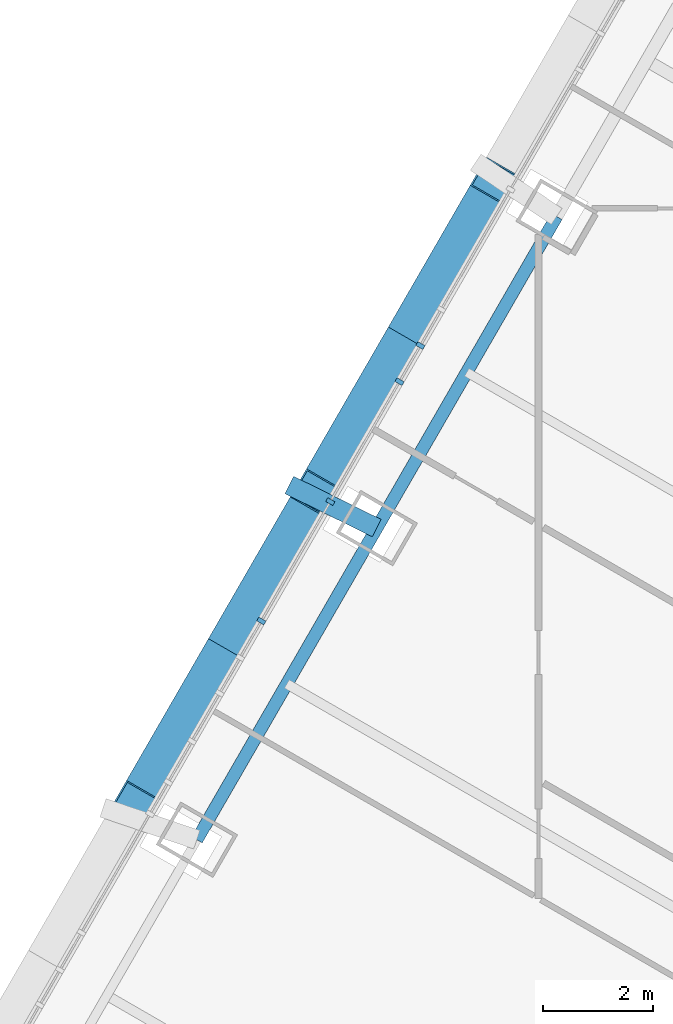
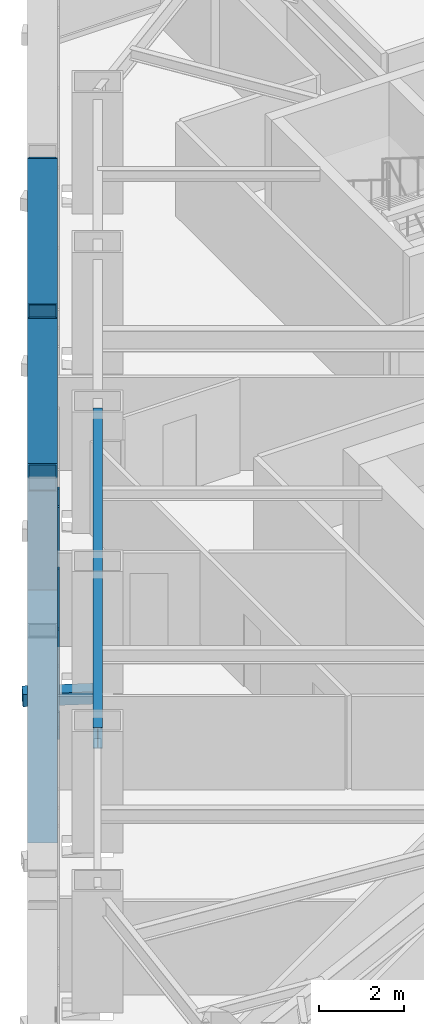
# One storey, part 5 of 25: 9 members, 1 beam, 1 element without a shape of its own.
"""IFC4 building model written with IfcOpenShell, lengths in metres."""

import ifcopenshell
import ifcopenshell.guid

model = None  # the IFC model being written
_history = None  # IfcOwnerHistory: only IFC2X3 demands one
_inside = {}  # id of a spatial element -> (the spatial element, [elements in it])
_under = {}  # id of a project, library or spatial element -> (it, [spatial elements below it])
_declared = {}  # id of a project -> (the project, [libraries it declares])
_typed = {}  # id of a type object -> (the type object, [elements of that type])
_made_of = {}  # id of a material, layer set ... -> (it, [elements and type objects made of it])


def new_model(schema):
    """Start an empty IFC model of exactly this schema.

    Asked for "IFC4X3", IfcOpenShell would pick the latest addendum, in which some entities
    have other attributes; the version numbers below select the first issue.
    IFC2X3 requires an IfcOwnerHistory on every rooted entity: one is made here for all.
    """
    global model, _history
    if schema == "IFC4X3":
        model = ifcopenshell.file(schema_version=(4, 3, 0, 0))
    else:
        model = ifcopenshell.file(schema=schema)
    _inside.clear()
    _under.clear()
    _declared.clear()
    _typed.clear()
    _made_of.clear()
    _history = None
    if model.schema == "IFC2X3":
        org = make("IfcOrganization", Name="unknown")
        user = make(
            "IfcPersonAndOrganization",
            ThePerson=make("IfcPerson", FamilyName="unknown"),
            TheOrganization=org,
        )
        app = make(
            "IfcApplication",
            ApplicationDeveloper=org,
            Version="unknown",
            ApplicationFullName="unknown",
            ApplicationIdentifier="unknown",
        )
        _history = make(
            "IfcOwnerHistory",
            OwningUser=user,
            OwningApplication=app,
            ChangeAction="ADDED",
            CreationDate=0,
        )
    return model


def make(cls, **values):
    """One entity of the class cls with the attributes given. An attribute that is None is left unset."""
    return model.create_entity(
        cls, **{name: value for name, value in values.items() if value is not None}
    )


def rooted(cls, **values):
    """An entity with a GlobalId (a new one), such as an element, a storey or a relation."""
    return make(cls, GlobalId=ifcopenshell.guid.new(), OwnerHistory=_history, **values)


def si_unit(unit_type, name, prefix=None):
    """IfcSIUnit, for example si_unit("LENGTHUNIT", "METRE", prefix="MILLI")."""
    return make("IfcSIUnit", UnitType=unit_type, Prefix=prefix, Name=name)


def assignment(units):
    """IfcUnitAssignment: the units of a project."""
    return None if units is None else make("IfcUnitAssignment", Units=units)


def point(xyz):
    """IfcCartesianPoint."""
    return None if xyz is None else make("IfcCartesianPoint", Coordinates=xyz)


def direction(xyz):
    """IfcDirection."""
    return None if xyz is None else make("IfcDirection", DirectionRatios=xyz)


def frame(location, z_axis=None, x_axis=None):
    """IfcAxis2Placement3D, a coordinate frame: its origin and axes. An axis left out is left unset."""
    return make(
        "IfcAxis2Placement3D",
        Location=point(location),
        Axis=direction(z_axis),
        RefDirection=direction(x_axis),
    )


def frame_2d(location, x_axis=None):
    """IfcAxis2Placement2D, a coordinate frame in the plane: its origin and x axis."""
    return make(
        "IfcAxis2Placement2D", Location=point(location), RefDirection=direction(x_axis)
    )


def origin():
    """The frame at (0, 0, 0) with its axes left unset."""
    return frame((0.0, 0.0, 0.0))


def origin_2d():
    """The frame at (0, 0) in the plane with its x axis left unset."""
    return frame_2d((0.0, 0.0))


def place(relative_to, where):
    """IfcLocalPlacement: puts the frame where relative to a parent placement (None: the world)."""
    return make(
        "IfcLocalPlacement", PlacementRelTo=relative_to, RelativePlacement=where
    )


def context(
    kind, dimensions, precision=None, world=None, true_north=None, identifier=None
):
    """IfcGeometricRepresentationContext, for example the 3D "Model" context."""
    return make(
        "IfcGeometricRepresentationContext",
        ContextIdentifier=identifier,
        ContextType=kind,
        CoordinateSpaceDimension=dimensions,
        Precision=precision,
        WorldCoordinateSystem=world,
        TrueNorth=true_north,
    )


def subcontext(parent, identifier, kind, view, scale=None):
    """IfcGeometricRepresentationSubContext, for example "Body" below "Model"."""
    return make(
        "IfcGeometricRepresentationSubContext",
        ContextIdentifier=identifier,
        ContextType=kind,
        ParentContext=parent,
        TargetScale=scale,
        TargetView=view,
    )


def project(units=None, contexts=None):
    """IfcProject with its units and contexts."""
    return rooted(
        "IfcProject",
        Name="project",
        RepresentationContexts=contexts,
        UnitsInContext=assignment(units),
    )


def spatial(cls, under=None, at=None, **own):
    """A site, building, storey or space (cls), placed at a placement, below another one or the project."""
    s = rooted(cls, ObjectPlacement=at, **own)
    if under is not None:
        _under.setdefault(under.id(), (under, []))[1].append(s)
    return s


def profile(cls, at=None, kind="AREA", **sizes):
    """A parametric profile (cls). Its sizes go by their IFC names, for example OverallWidth=200.0."""
    return make(cls, ProfileType=kind, Position=at, **sizes)


def rectangle(**sizes):
    """IfcRectangleProfileDef."""
    return profile("IfcRectangleProfileDef", **sizes)


def hollow_rectangle(**sizes):
    """IfcRectangleHollowProfileDef."""
    return profile("IfcRectangleHollowProfileDef", **sizes)


def i_section(**sizes):
    """IfcIShapeProfileDef."""
    return profile("IfcIShapeProfileDef", **sizes)


def extrude(swept, where, along, depth):
    """IfcExtrudedAreaSolid: the profile swept, set in the frame where, extruded along a direction by depth."""
    return make(
        "IfcExtrudedAreaSolid",
        SweptArea=swept,
        Position=where,
        ExtrudedDirection=direction(along),
        Depth=depth,
    )


def shape(context_of_items, identifier, shape_type, items):
    """IfcShapeRepresentation: the items that make up one representation, for example the "Body"."""
    return make(
        "IfcShapeRepresentation",
        ContextOfItems=context_of_items,
        RepresentationIdentifier=identifier,
        RepresentationType=shape_type,
        Items=items,
    )


def material(Name=None, Category=None):
    """IfcMaterial."""
    return make("IfcMaterial", Name=Name, Category=Category)


def layer(
    of_material, thickness, ventilated=None, Name=None, Category=None, Priority=None
):
    """IfcMaterialLayer: one layer of a wall or slab, of a material (None: an air gap)."""
    return make(
        "IfcMaterialLayer",
        Material=of_material,
        LayerThickness=thickness,
        IsVentilated=ventilated,
        Name=Name,
        Category=Category,
        Priority=Priority,
    )


def layer_set(layers, Name=None):
    """IfcMaterialLayerSet."""
    return make("IfcMaterialLayerSet", MaterialLayers=layers, LayerSetName=Name)


def material_profile(
    of_material, cross_section, Name=None, Category=None, Priority=None
):
    """IfcMaterialProfile: a cross section and its material."""
    return make(
        "IfcMaterialProfile",
        Name=Name,
        Material=of_material,
        Profile=cross_section,
        Priority=Priority,
        Category=Category,
    )


def profile_set(profiles, Name=None, composite=None):
    """IfcMaterialProfileSet."""
    return make(
        "IfcMaterialProfileSet",
        Name=Name,
        MaterialProfiles=profiles,
        CompositeProfile=composite,
    )


def made_of(thing, what):
    """Note that an element or type object is made of a material, layer set ...; save() writes the relation."""
    if what is not None:
        _made_of.setdefault(what.id(), (what, []))[1].append(thing)
    return thing


def type_object(cls, material=None, **own):
    """A type object (cls), such as IfcWallType, which elements share."""
    return made_of(rooted(cls, **own), material)


def element(
    cls,
    number,
    at=None,
    inside=None,
    cuts=None,
    type_object=None,
    material=None,
    context=None,
    identifier="Body",
    shape_type=None,
    held_by="IfcProductDefinitionShape",
    body=None,
    shapes=None,
    **own,
):
    """One element of the class cls, such as IfcWall. Its Tag is "e" and its number.

    at: its placement. inside: the storey or other place that contains it. cuts: it is an
    opening in that element (IfcRelVoidsElement). A single representation is given by context,
    identifier, shape_type and body (its items); several are given by shapes. held_by: the class
    of the entity that holds the representations. save() writes the other relations.
    """
    e = rooted(cls, Tag="e%d" % number, ObjectPlacement=at, **own)
    if body is not None:
        shapes = [shape(context, identifier, shape_type, body)]
    if shapes is not None:
        e.Representation = make(held_by, Representations=shapes)
    if inside is not None:
        _inside.setdefault(inside.id(), (inside, []))[1].append(e)
    if cuts is not None:
        rooted(
            "IfcRelVoidsElement", RelatingBuildingElement=cuts, RelatedOpeningElement=e
        )
    if type_object is not None:
        _typed.setdefault(type_object.id(), (type_object, []))[1].append(e)
    return made_of(e, material)


def aggregate(whole, parts):
    """IfcRelAggregates: a whole, such as a stair, and the parts it consists of."""
    return rooted("IfcRelAggregates", RelatingObject=whole, RelatedObjects=parts)


def save(model, path):
    """Write the relations noted so far, then the file.

    IfcRelAggregates (storeys below a building ...), IfcRelContainedInSpatialStructure (elements
    in a storey), IfcRelDefinesByType, IfcRelAssociatesMaterial and IfcRelDeclares: one each for
    every whole, place, type object, material and project.
    """
    for whole, parts in _under.values():
        aggregate(whole, parts)
    for where, things in _inside.values():
        rooted(
            "IfcRelContainedInSpatialStructure",
            RelatedElements=things,
            RelatingStructure=where,
        )
    for kind, things in _typed.values():
        rooted("IfcRelDefinesByType", RelatedObjects=things, RelatingType=kind)
    for what, things in _made_of.values():
        rooted("IfcRelAssociatesMaterial", RelatedObjects=things, RelatingMaterial=what)
    for by, libraries in _declared.values():
        rooted("IfcRelDeclares", RelatingContext=by, RelatedDefinitions=libraries)
    model.write(path)


model = new_model("IFC4")

# Units and contexts
model_context = context("Model", 3, precision=1e-05, world=origin(), true_north=direction((0.0, 1.0)))
body_context = subcontext(model_context, "Body", "Model", "MODEL_VIEW")
ifc_project = project(units=[si_unit("LENGTHUNIT", "METRE"), si_unit("AREAUNIT", "SQUARE_METRE"), si_unit("VOLUMEUNIT", "CUBIC_METRE"), si_unit("PLANEANGLEUNIT", "RADIAN"), si_unit("MASSUNIT", "GRAM", prefix="KILO")], contexts=[model_context])

# Site, building, storey
site_placement = place(None, origin())
site = spatial("IfcSite", under=ifc_project, at=site_placement, CompositionType="ELEMENT")
building_placement = place(site_placement, origin())
building = spatial("IfcBuilding", under=site, at=building_placement, Name="Firuza Gate Tower and Library", CompositionType="ELEMENT")
storey_placement = place(building_placement, frame((0.0, 0.0, 270.60009765625)))
storey = spatial("IfcBuildingStorey", under=building, at=storey_placement, Name="L64", CompositionType="ELEMENT", Elevation=270.60009765625)

# Members
ifc_material_1 = material(Name="Steel S355", Category="steel")
ifc_material_profile_1 = material_profile(ifc_material_1, hollow_rectangle(XDim=0.699951171875, YDim=0.699951171875, WallThickness=0.030029296875, at=origin_2d()))
ifc_profile_set_1 = profile_set([ifc_material_profile_1], Name="Steel S355")
member_type_1 = type_object("IfcMemberType", Name="BU700x700x30 Lattice brace", PredefinedType="BRACE", material=ifc_profile_set_1)
for number, where, z_axis, x_axis, name in (
    (1, (61.20556640625, 86.754638671875, 0.0), (-0.265084898364, -0.459137453369, 0.847893151036), (0.86602396135, -0.500002498361, 0.0), "Lattice brace W 16.4R"),
    (2, (57.9228515625, 81.06884765625, 0.0), (0.265084898364, 0.459137453369, 0.847893151036), (-0.86602396135, 0.500002498361, 0.0), "Lattice brace W 16.4L"),
    (3, (57.9228515625, 81.06884765625, 0.0), (-0.265087297838, -0.459121894397, 0.847900825928), (0.866014664317, -0.500018600842, 0.0), "Lattice brace W 16.5R"),
    (4, (54.64013671875, 75.38330078125, 0.0), (0.265087297838, 0.459121894397, 0.847900825928), (-0.866014664317, 0.500018600842, 0.0), "Lattice brace W 16.5L"),
):
    element("IfcMember", number, at=place(storey_placement, frame(where, z_axis=z_axis, x_axis=x_axis)), inside=storey, type_object=member_type_1, Name=name, PredefinedType="BRACE", context=body_context, shape_type="SweptSolid", body=[
        extrude(hollow_rectangle(XDim=0.699951171875, YDim=0.699951171875, WallThickness=0.030029296875, at=origin_2d()), origin(), (0.0, 0.0, 1.0), 12.383544921875),
    ])

# Curtain wall, members
ifc_material_2 = material(Name="Aluminium 6063-T6", Category="aluminium")
ifc_layer = layer(ifc_material_2, 0.14990234375)
ifc_layer_set = layer_set([ifc_layer], Name="Unitised curtain wall, residences")
curtain_wall_type = type_object("IfcCurtainWallType", Name="Unitised curtain wall, residences", PredefinedType="NOTDEFINED", material=ifc_layer_set)
curtain_wall_placement = place(storey_placement, origin())
curtain_wall = element("IfcCurtainWall", 5, at=curtain_wall_placement, inside=storey, type_object=curtain_wall_type, Name="CW3 L64 W face", PredefinedType="NOTDEFINED")
ifc_material_3 = material(Name="Aluminium 6063-T6", Category="aluminium")
ifc_material_profile_2 = material_profile(ifc_material_3, rectangle(XDim=0.14990234375, YDim=0.080078125, at=origin_2d()))
ifc_profile_set_2 = profile_set([ifc_material_profile_2], Name="Aluminium 6063-T6")
member_type_2 = type_object("IfcMemberType", Name="Curtain wall mullion 80x150", PredefinedType="MULLION", material=ifc_profile_set_2)
member_1_placement = place(storey_placement, frame((59.845703125, 83.749267578125, 0.14990234375), z_axis=(0.0, 0.0, 1.0), x_axis=(0.866025403784, -0.5, 0.0)))
member_1 = element("IfcMember", 6, at=member_1_placement, type_object=member_type_2, Name="Mullion", PredefinedType="MULLION", context=body_context, shape_type="SweptSolid", body=[
    extrude(rectangle(XDim=0.14990234375, YDim=0.080078125, at=origin_2d()), origin(), (0.0, 0.0, 1.0), 3.14990234375),
])
member_2_placement = place(storey_placement, frame((58.201171875, 80.901123046875, 0.14990234375), z_axis=(0.0, 0.0, 1.0), x_axis=(0.866025403784, -0.5, 0.0)))
member_2 = element("IfcMember", 7, at=member_2_placement, type_object=member_type_2, Name="Mullion", PredefinedType="MULLION", context=body_context, shape_type="SweptSolid", body=[
    extrude(rectangle(XDim=0.14990234375, YDim=0.080078125, at=origin_2d()), origin(), (0.0, 0.0, 1.0), 3.14990234375),
])
member_3_placement = place(storey_placement, frame((59.465087890625, 83.08984375, 0.14990234375), z_axis=(0.0, 0.0, 1.0), x_axis=(0.866025403784, -0.5, 0.0)))
member_3 = element("IfcMember", 8, at=member_3_placement, type_object=member_type_2, Name="Mullion", PredefinedType="MULLION", context=body_context, shape_type="SweptSolid", body=[
    extrude(rectangle(XDim=0.14990234375, YDim=0.080078125, at=origin_2d()), origin(), (0.0, 0.0, 1.0), 3.14990234375),
])
member_4_placement = place(storey_placement, frame((56.94384765625, 78.72314453125, 0.14990234375), z_axis=(0.0, 0.0, 1.0), x_axis=(0.866025403784, -0.5, 0.0)))
member_4 = element("IfcMember", 9, at=member_4_placement, type_object=member_type_2, Name="Mullion", PredefinedType="MULLION", context=body_context, shape_type="SweptSolid", body=[
    extrude(rectangle(XDim=0.14990234375, YDim=0.080078125, at=origin_2d()), origin(), (0.0, 0.0, 1.0), 3.14990234375),
])
aggregate(curtain_wall, [member_1, member_2, member_3, member_4])

# Member
ifc_material_4 = material(Name="Steel S355", Category="steel")
ifc_material_profile_3 = material_profile(ifc_material_4, hollow_rectangle(XDim=0.355712890625, YDim=0.355712890625, WallThickness=0.014892578125, at=origin_2d()))
ifc_profile_set_3 = profile_set([ifc_material_profile_3], Name="Steel S355")
member_type_3 = type_object("IfcMemberType", Name="HSS356x356x16 Lattice node tie", PredefinedType="BRACE", material=ifc_profile_set_3)
member_5_placement = place(storey_placement, frame((59.048828125, 80.4189453125, -0.320068359375), z_axis=(-0.897156445363, 0.441712930017, 0.0), x_axis=(-0.441712930017, -0.897156445363, 0.0)))
element("IfcMember", 10, at=member_5_placement, inside=storey, type_object=member_type_3, Name="Lattice node tie W L64 420", PredefinedType="BRACE", context=body_context, shape_type="SweptSolid", body=[
    extrude(hollow_rectangle(XDim=0.355712890625, YDim=0.355712890625, WallThickness=0.014892578125, at=origin_2d()), origin(), (0.0, 0.0, 1.0), 1.778076171875),
])

# Beam
ifc_material_5 = material(Name="Steel S355", Category="steel")
ifc_material_profile_4 = material_profile(ifc_material_5, i_section(OverallWidth=0.22900390625, OverallDepth=0.612060546875, WebThickness=0.011962890625, FlangeThickness=0.01953125, at=origin_2d()))
ifc_profile_set_4 = profile_set([ifc_material_profile_4], Name="Steel S355")
beam_type = type_object("IfcBeamType", Name="W610x125 Edge beam", PredefinedType="SPANDREL", material=ifc_profile_set_4)
beam_placement = place(storey_placement, frame((62.33154296875, 86.104736328125, 2.993896484375), z_axis=(-0.500002498361, -0.86602396135, 0.0), x_axis=(0.86602396135, -0.500002498361, 0.0)))
element("IfcBeam", 11, at=beam_placement, inside=storey, type_object=beam_type, Name="Edge beam L64 e82", PredefinedType="SPANDREL", context=body_context, shape_type="SweptSolid", body=[
    extrude(i_section(OverallWidth=0.22900390625, OverallDepth=0.612060546875, WebThickness=0.011962890625, FlangeThickness=0.01953125, at=origin_2d()), origin(), (0.0, 0.0, 1.0), 13.130859375),
])

save(model, "model.ifc")
